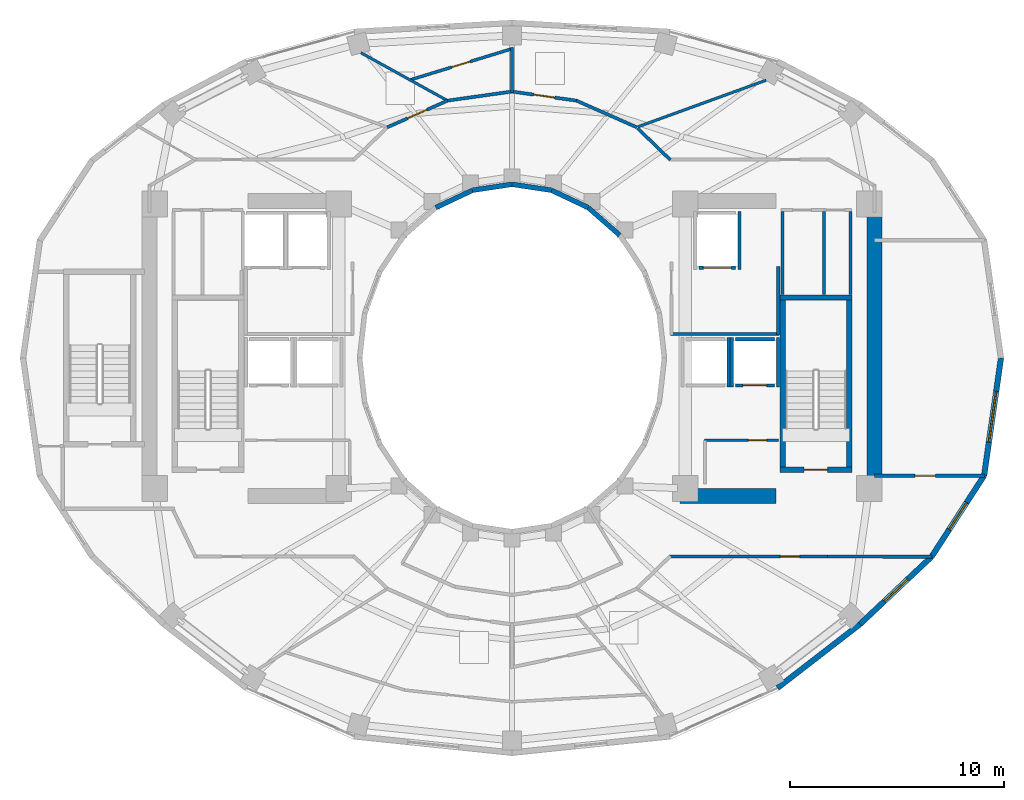
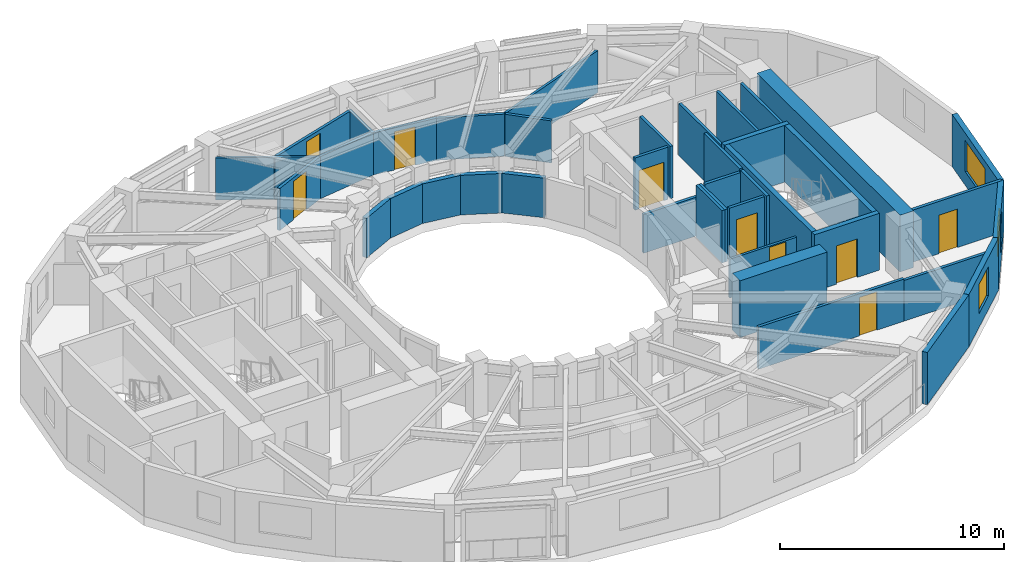
# One storey, part 13 of 17: 40 walls, 9 doors, 3 windows, 12 openings.
"""IFC4 building model written with IfcOpenShell, lengths in metres."""

from ifc_helpers import new_model, si_unit, direction, frame, frame_2d, origin, place, context, subcontext, project, spatial, rectangle, extrude, material, layer, layer_set, type_object, element, fill, save


model = new_model("IFC4")

# Units and contexts
model_context = context("Model", 3, precision=1e-05, world=origin(), true_north=direction((0.0, 1.0)))
body_context = subcontext(model_context, "Body", "Model", "MODEL_VIEW")
ifc_project = project(units=[si_unit("LENGTHUNIT", "METRE"), si_unit("AREAUNIT", "SQUARE_METRE"), si_unit("VOLUMEUNIT", "CUBIC_METRE"), si_unit("PLANEANGLEUNIT", "RADIAN"), si_unit("MASSUNIT", "GRAM", prefix="KILO")], contexts=[model_context])

# Site, building, storey
site_placement = place(None, origin())
site = spatial("IfcSite", under=ifc_project, at=site_placement, CompositionType="ELEMENT")
building_placement = place(site_placement, origin())
building = spatial("IfcBuilding", under=site, at=building_placement, Name="Solvane Sanctuary Tower", CompositionType="ELEMENT")
storey_placement = place(building_placement, frame((0.0, 0.0, 171.5)))
storey = spatial("IfcBuildingStorey", under=building, at=storey_placement, Name="L52", CompositionType="ELEMENT", Elevation=171.5)

# Walls
ifc_material_1 = material(Name="Concrete C60/75", Category="concrete")
ifc_layer_1 = layer(ifc_material_1, 0.699951171875, Name="Concrete C60/75")
ifc_layer_set_1 = layer_set([ifc_layer_1], Name="Concrete C60/75")
wall_type_1 = type_object("IfcWallType", Name="Wall W-CORE-700", PredefinedType="SHEAR", material=ifc_layer_set_1)
wall_1_placement = place(storey_placement, frame((48.949951171875, 17.050048828125, 0.0), z_axis=(0.0, 0.0, 1.0), x_axis=(0.0, 1.0, 0.0)))
element("IfcWall", 1, at=wall_1_placement, inside=storey, type_object=wall_type_1, Name="L52 Core Shear Wall EC-E", PredefinedType="SHEAR", context=body_context, shape_type="SweptSolid", body=[
    extrude(rectangle(XDim=12.800048828125, YDim=0.699951171875, at=frame_2d((6.39990234375, 0.0))), origin(), (0.0, 0.0, 1.0), 3.10009765625),
])
wall_2_placement = place(storey_placement, frame((39.85009765625, 16.550048828125, 0.0), z_axis=(0.0, 0.0, 1.0), x_axis=(1.0, 0.0, 0.0)))
element("IfcWall", 2, at=wall_2_placement, inside=storey, type_object=wall_type_1, Name="L52 Core Shear Wall EC-S", PredefinedType="SHEAR", context=body_context, shape_type="SweptSolid", body=[
    extrude(rectangle(XDim=4.5, YDim=0.699951171875, at=frame_2d((2.25, 0.0))), origin(), (0.0, 0.0, 1.0), 3.10009765625),
])
ifc_material_2 = material(Name="Acoustic Gypsum Partition Board")
ifc_layer_2 = layer(ifc_material_2, 0.14990234375, Name="Acoustic Gypsum Partition Board")
ifc_layer_set_2 = layer_set([ifc_layer_2], Name="Acoustic Gypsum Partition Board")
wall_type_2 = type_object("IfcWallType", Name="Wall W-CORR-150", PredefinedType="PARTITIONING", material=ifc_layer_set_2)
wall_3_placement = place(storey_placement, frame((39.39990234375, 24.1201171875, 0.0), z_axis=(0.0, 0.0, 1.0), x_axis=(1.0, 0.0, 0.0)))
element("IfcWall", 3, at=wall_3_placement, inside=storey, type_object=wall_type_2, Name="L52 East Firefighting Lobby South Wall", PredefinedType="PARTITIONING", context=body_context, shape_type="SweptSolid", body=[
    extrude(rectangle(XDim=5.080078125, YDim=0.14990234375, at=frame_2d((2.5400390625, 0.0))), origin(), (0.0, 0.0, 1.0), 2.1201171875),
])
wall_4_placement = place(storey_placement, frame((44.449951171875, 24.080078125, 0.0), z_axis=(0.0, 0.0, 1.0), x_axis=(0.0, 1.0, 0.0)))
element("IfcWall", 4, at=wall_4_placement, inside=storey, type_object=wall_type_2, Name="L52 East Firefighting Lobby East Wall", PredefinedType="PARTITIONING", context=body_context, shape_type="SweptSolid", body=[
    extrude(rectangle(XDim=3.199951171875, YDim=0.14990234375, at=frame_2d((1.60009765625, 0.0))), origin(), (0.0, 0.0, 1.0), 2.85498046875),
])

# Wall, opening, door
wall_5_placement = place(storey_placement, frame((48.949951171875, 17.4970703125, 0.0), z_axis=(0.0, 0.0, 1.0), x_axis=(1.0, 0.0, 0.0)))
wall_5 = element("IfcWall", 5, at=wall_5_placement, inside=storey, type_object=wall_type_2, Name="L52 East Shoulder South Wall", PredefinedType="PARTITIONING", context=body_context, shape_type="SweptSolid", body=[
    extrude(rectangle(XDim=5.14013671875, YDim=0.14990234375, at=frame_2d((2.570068359375, 0.0))), origin(), (0.0, 0.0, 1.0), 2.85498046875),
])
opening_1_placement = place(wall_5_placement, frame((1.888671875, 0.0, 0.0)))
opening_1 = element("IfcOpeningElement", 6, at=opening_1_placement, cuts=wall_5, Name="Opening D-L52-12", PredefinedType="OPENING", context=body_context, shape_type="SweptSolid", body=[
    extrude(rectangle(XDim=0.949951171875, YDim=2.10009765625, at=frame_2d((0.47509765625, 1.050048828125))), frame((0.0, 0.0849609375, 0.0), z_axis=(0.0, -1.0, 0.0), x_axis=(1.0, 0.0, 0.0)), (0.0, 0.0, 1.0), 0.169921875),
])
ifc_material_3 = material(Name="Engineered Tropical Hardwood", Category="wood")
door_type_1 = type_object("IfcDoorType", Name="Door D-ROOM-950", OperationType="NOTDEFINED", PredefinedType="DOOR", material=ifc_material_3)
door_1_placement = place(opening_1_placement, origin())
door_1 = element("IfcDoor", 7, at=door_1_placement, inside=storey, type_object=door_type_1, Name="L52 East Shoulder South Door", OperationType="SINGLE_SWING_RIGHT", OverallHeight=2.10009765625, OverallWidth=0.949951171875, PredefinedType="DOOR", context=body_context, shape_type="SweptSolid", body=[
    extrude(rectangle(XDim=0.949951171875, YDim=2.10009765625, at=frame_2d((0.47509765625, 1.050048828125))), frame((0.0, 0.02490234375, 0.0), z_axis=(0.0, -1.0, 0.0), x_axis=(1.0, 0.0, 0.0)), (0.0, 0.0, 1.0), 0.050048828125),
])
fill(opening_1, door_1)

# Wall
wall_6_placement = place(storey_placement, frame((37.867431640625, 33.748779296875, 0.0), z_axis=(0.0, 0.0, 1.0), x_axis=(0.717419568599, -0.696641344302, 0.0)))
element("IfcWall", 8, at=wall_6_placement, inside=storey, type_object=wall_type_2, Name="L52 NE Corner Throat Wall", PredefinedType="PARTITIONING", context=body_context, shape_type="SweptSolid", body=[
    extrude(rectangle(XDim=2.138427734375, YDim=0.14990234375, at=frame_2d((1.0693359375, 0.0))), origin(), (0.0, 0.0, 1.0), 2.299072265625),
])

# Wall, opening, door
wall_7_placement = place(storey_placement, frame((39.330078125, 13.719970703125, 0.0), z_axis=(0.0, 0.0, 1.0), x_axis=(1.0, 0.0, 0.0)))
wall_7 = element("IfcWall", 9, at=wall_7_placement, inside=storey, type_object=wall_type_2, Name="L52 SE Corner Corridor Wall", PredefinedType="PARTITIONING", context=body_context, shape_type="SweptSolid", body=[
    extrude(rectangle(XDim=7.52001953125, YDim=0.14990234375, at=frame_2d((3.760009765625, 0.0))), origin(), (0.0, 0.0, 1.0), 2.299072265625),
])
opening_2_placement = place(wall_7_placement, frame((5.219970703125, 0.0, 0.0)))
opening_2 = element("IfcOpeningElement", 10, at=opening_2_placement, cuts=wall_7, Name="Opening D-L52-18", PredefinedType="OPENING", context=body_context, shape_type="SweptSolid", body=[
    extrude(rectangle(XDim=0.89990234375, YDim=2.10009765625, at=frame_2d((0.449951171875, 1.050048828125))), frame((0.0, 0.0849609375, 0.0), z_axis=(0.0, -1.0, 0.0), x_axis=(1.0, 0.0, 0.0)), (0.0, 0.0, 1.0), 0.169921875),
])
door_type_2 = type_object("IfcDoorType", Name="Door D-WET-900", OperationType="NOTDEFINED", PredefinedType="DOOR", material=ifc_material_3)
door_2_placement = place(opening_2_placement, origin())
door_2 = element("IfcDoor", 11, at=door_2_placement, inside=storey, type_object=door_type_2, Name="L52 SE Corner Salon Door", OperationType="SINGLE_SWING_RIGHT", OverallHeight=2.10009765625, OverallWidth=0.89990234375, PredefinedType="DOOR", context=body_context, shape_type="SweptSolid", body=[
    extrude(rectangle(XDim=0.89990234375, YDim=2.10009765625, at=frame_2d((0.449951171875, 1.050048828125))), frame((0.0, 0.02490234375, 0.0), z_axis=(0.0, -1.0, 0.0), x_axis=(1.0, 0.0, 0.0)), (0.0, 0.0, 1.0), 0.050048828125),
])
fill(opening_2, door_2)

# Walls
wall_8_placement = place(storey_placement, frame((46.75, 13.72021484375, 0.0), z_axis=(0.0, 0.0, 1.0), x_axis=(0.999997122315, -0.00239903348, 0.0)))
element("IfcWall", 12, at=wall_8_placement, inside=storey, type_object=wall_type_2, Name="L52 SE Corner Wing Wall", PredefinedType="PARTITIONING", context=body_context, shape_type="SweptSolid", body=[
    extrude(rectangle(XDim=4.884765625, YDim=0.14990234375, at=frame_2d((2.4423828125, 0.0))), origin(), (0.0, 0.0, 1.0), 2.219970703125),
])
wall_9_placement = place(storey_placement, frame((32.049560546875, 35.462890625, 0.0), z_axis=(0.0, 0.0, 1.0), x_axis=(-0.990254405439, -0.139270285808, 0.0)))
element("IfcWall", 13, at=wall_9_placement, inside=storey, type_object=wall_type_2, Name="L52 En-suite Inner Wall N1", PredefinedType="PARTITIONING", context=body_context, shape_type="SweptSolid", body=[
    extrude(rectangle(XDim=3.146728515625, YDim=0.14990234375, at=frame_2d((1.5732421875, 0.0))), origin(), (0.0, 0.0, 1.0), 2.299072265625),
])
wall_10_placement = place(storey_placement, frame((37.8349609375, 33.782958984375, 0.0), z_axis=(0.0, 0.0, 1.0), x_axis=(-0.91445214467, 0.404694051239, 0.0)))
element("IfcWall", 14, at=wall_10_placement, inside=storey, type_object=wall_type_2, Name="L52 Unit Corridor Wall N1", PredefinedType="PARTITIONING", context=body_context, shape_type="SweptSolid", body=[
    extrude(rectangle(XDim=3.090576171875, YDim=0.14990234375, at=frame_2d((1.54541015625, 0.0))), origin(), (0.0, 0.0, 1.0), 2.299072265625),
])

# Wall, opening, door
wall_11_placement = place(storey_placement, frame((35.024658203125, 35.029296875, 0.0), z_axis=(0.0, 0.0, 1.0), x_axis=(-0.990243864279, 0.139345216129, 0.0)))
wall_11 = element("IfcWall", 15, at=wall_11_placement, inside=storey, type_object=wall_type_2, Name="L52 Unit Corridor Wall N1", PredefinedType="PARTITIONING", context=body_context, shape_type="SweptSolid", body=[
    extrude(rectangle(XDim=3.0625, YDim=0.14990234375, at=frame_2d((1.53125, 0.0))), origin(), (0.0, 0.0, 1.0), 2.299072265625),
])
opening_3_placement = place(wall_11_placement, frame((1.03125, 0.0, 0.0)))
opening_3 = element("IfcOpeningElement", 16, at=opening_3_placement, cuts=wall_11, Name="Opening D-L52-21", PredefinedType="OPENING", context=body_context, shape_type="SweptSolid", body=[
    extrude(rectangle(XDim=1.0, YDim=2.10009765625, at=frame_2d((0.5, 1.050048828125))), frame((0.0, 0.0849609375, 0.0), z_axis=(0.0, -1.0, 0.0), x_axis=(1.0, 0.0, 0.0)), (0.0, 0.0, 1.0), 0.169921875),
])
door_type_3 = type_object("IfcDoorType", Name="Door D-UNIT", OperationType="NOTDEFINED", PredefinedType="DOOR", material=ifc_material_3)
door_3_placement = place(opening_3_placement, origin())
door_3 = element("IfcDoor", 17, at=door_3_placement, inside=storey, type_object=door_type_3, Name="L52 Unit Entrance Door N1", OperationType="SINGLE_SWING_LEFT", OverallHeight=2.10009765625, OverallWidth=1.0, PredefinedType="DOOR", context=body_context, shape_type="SweptSolid", body=[
    extrude(rectangle(XDim=1.0, YDim=2.10009765625, at=frame_2d((0.5, 1.050048828125))), frame((0.0, 0.02490234375, 0.0), z_axis=(0.0, -1.0, 0.0), x_axis=(1.0, 0.0, 0.0)), (0.0, 0.0, 1.0), 0.050048828125),
])
fill(opening_3, door_3)

wall_12_placement = place(storey_placement, frame((28.9912109375, 35.03369140625, 0.0), z_axis=(0.0, 0.0, 1.0), x_axis=(-0.91445214467, -0.404694051239, 0.0)))
wall_12 = element("IfcWall", 18, at=wall_12_placement, inside=storey, type_object=wall_type_2, Name="L52 Unit Corridor Wall N2", PredefinedType="PARTITIONING", context=body_context, shape_type="SweptSolid", body=[
    extrude(rectangle(XDim=3.090576171875, YDim=0.14990234375, at=frame_2d((1.54541015625, 0.0))), origin(), (0.0, 0.0, 1.0), 2.299072265625),
])
opening_4_placement = place(wall_12_placement, frame((1.04541015625, 0.0, 0.0)))
opening_4 = element("IfcOpeningElement", 19, at=opening_4_placement, cuts=wall_12, Name="Opening D-L52-22", PredefinedType="OPENING", context=body_context, shape_type="SweptSolid", body=[
    extrude(rectangle(XDim=1.0, YDim=2.10009765625, at=frame_2d((0.5, 1.050048828125))), frame((0.0, 0.0849609375, 0.0), z_axis=(0.0, -1.0, 0.0), x_axis=(1.0, 0.0, 0.0)), (0.0, 0.0, 1.0), 0.169921875),
])
door_4_placement = place(opening_4_placement, origin())
door_4 = element("IfcDoor", 20, at=door_4_placement, inside=storey, type_object=door_type_3, Name="L52 Unit Entrance Door N2", OperationType="SINGLE_SWING_RIGHT", OverallHeight=2.10009765625, OverallWidth=1.0, PredefinedType="DOOR", context=body_context, shape_type="SweptSolid", body=[
    extrude(rectangle(XDim=1.0, YDim=2.10009765625, at=frame_2d((0.5, 1.050048828125))), frame((0.0, 0.02490234375, 0.0), z_axis=(0.0, -1.0, 0.0), x_axis=(1.0, 0.0, 0.0)), (0.0, 0.0, 1.0), 0.050048828125),
])
fill(opening_4, door_4)

# Wall
ifc_material_4 = material(Name="Precast concrete C40/50", Category="concrete")
ifc_layer_3 = layer(ifc_material_4, 0.260009765625, Name="Precast concrete C40/50")
ifc_layer_set_3 = layer_set([ifc_layer_3], Name="Precast concrete C40/50")
wall_type_3 = type_object("IfcWallType", Name="Wall W-EXT-250", PredefinedType="STANDARD", material=ifc_layer_set_3)
wall_13_placement = place(storey_placement, frame((44.4130859375, 7.58056640625, 0.0), z_axis=(0.0, 0.0, 1.0), x_axis=(0.791460185804, 0.611220724687, 0.0)))
element("IfcWall", 21, at=wall_13_placement, inside=storey, type_object=wall_type_3, Name="L52 Ceramic-Printed Facade Wall 20", PredefinedType="STANDARD", context=body_context, shape_type="SweptSolid", body=[
    extrude(rectangle(XDim=4.872314453125, YDim=0.260009765625, at=frame_2d((2.43603515625, 0.0))), origin(), (0.0, 0.0, 1.0), 2.85009765625),
])

# Wall, opening, window
wall_14_placement = place(storey_placement, frame((48.269287109375, 10.55859375, 0.0), z_axis=(0.0, 0.0, 1.0), x_axis=(0.727667301037, 0.68593024354, 0.0)))
wall_14 = element("IfcWall", 22, at=wall_14_placement, inside=storey, type_object=wall_type_3, Name="L52 Ceramic-Printed Facade Wall 21", PredefinedType="STANDARD", context=body_context, shape_type="SweptSolid", body=[
    extrude(rectangle(XDim=4.603515625, YDim=0.260009765625, at=frame_2d((2.3017578125, 0.0))), origin(), (0.0, 0.0, 1.0), 2.85009765625),
])
opening_5_placement = place(wall_14_placement, frame((1.5517578125, 0.0, 0.75)))
opening_5 = element("IfcOpeningElement", 23, at=opening_5_placement, cuts=wall_14, Name="Opening WN-OPER-1500", PredefinedType="OPENING", context=body_context, shape_type="SweptSolid", body=[
    extrude(rectangle(XDim=1.5, YDim=1.60009765625, at=frame_2d((0.75, 0.800048828125))), frame((0.0, 0.139892578125, 0.0), z_axis=(0.0, -1.0, 0.0), x_axis=(1.0, 0.0, 0.0)), (0.0, 0.0, 1.0), 0.280029296875),
])
ifc_material_5 = material(Name="Dark Ceramic-Fritted Low-E Glass", Category="glass")
window_type_1 = type_object("IfcWindowType", Name="Window WN-OPER-1500", PartitioningType="SINGLE_PANEL", PredefinedType="WINDOW", material=ifc_material_5)
window_1_placement = place(opening_5_placement, origin())
window_1 = element("IfcWindow", 24, at=window_1_placement, inside=storey, type_object=window_type_1, Name="L52 Operable Facade Window 21", OverallHeight=1.60009765625, OverallWidth=1.5, PartitioningType="SINGLE_PANEL", PredefinedType="WINDOW", context=body_context, shape_type="SweptSolid", body=[
    extrude(rectangle(XDim=1.5, YDim=1.60009765625, at=frame_2d((0.75, 0.800048828125))), frame((0.0, 0.030029296875, 0.0), z_axis=(0.0, -1.0, 0.0), x_axis=(1.0, 0.0, 0.0)), (0.0, 0.0, 1.0), 0.06005859375),
])
fill(opening_5, window_1)

wall_15_placement = place(storey_placement, frame((51.619140625, 13.71630859375, 0.0), z_axis=(0.0, 0.0, 1.0), x_axis=(0.543358984534, 0.839500454989, 0.0)))
wall_15 = element("IfcWall", 25, at=wall_15_placement, inside=storey, type_object=wall_type_3, Name="L52 Ceramic-Printed Facade Wall 22", PredefinedType="STANDARD", context=body_context, shape_type="SweptSolid", body=[
    extrude(rectangle(XDim=4.51123046875, YDim=0.260009765625, at=frame_2d((2.255615234375, 0.0))), origin(), (0.0, 0.0, 1.0), 2.85009765625),
])
opening_6_placement = place(wall_15_placement, frame((1.505615234375, 0.0, 0.75)))
opening_6 = element("IfcOpeningElement", 26, at=opening_6_placement, cuts=wall_15, Name="Opening WN-OPER-1500", PredefinedType="OPENING", context=body_context, shape_type="SweptSolid", body=[
    extrude(rectangle(XDim=1.5, YDim=1.60009765625, at=frame_2d((0.75, 0.800048828125))), frame((0.0, 0.139892578125, 0.0), z_axis=(0.0, -1.0, 0.0), x_axis=(1.0, 0.0, 0.0)), (0.0, 0.0, 1.0), 0.280029296875),
])
window_2_placement = place(opening_6_placement, origin())
window_2 = element("IfcWindow", 27, at=window_2_placement, inside=storey, type_object=window_type_1, Name="L52 Operable Facade Window 22", OverallHeight=1.60009765625, OverallWidth=1.5, PartitioningType="SINGLE_PANEL", PredefinedType="WINDOW", context=body_context, shape_type="SweptSolid", body=[
    extrude(rectangle(XDim=1.5, YDim=1.60009765625, at=frame_2d((0.75, 0.800048828125))), frame((0.0, 0.030029296875, 0.0), z_axis=(0.0, -1.0, 0.0), x_axis=(1.0, 0.0, 0.0)), (0.0, 0.0, 1.0), 0.06005859375),
])
fill(opening_6, window_2)

wall_16_placement = place(storey_placement, frame((54.0703125, 17.50341796875, 0.0), z_axis=(0.0, 0.0, 1.0), x_axis=(0.142227632286, 0.989833976288, 0.0)))
wall_16 = element("IfcWall", 28, at=wall_16_placement, inside=storey, type_object=wall_type_3, Name="L52 Ceramic-Printed Facade Wall 23", PredefinedType="STANDARD", context=body_context, shape_type="SweptSolid", body=[
    extrude(rectangle(XDim=5.552978515625, YDim=0.260009765625, at=frame_2d((2.7763671875, 0.0))), origin(), (0.0, 0.0, 1.0), 2.85009765625),
])
opening_7_placement = place(wall_16_placement, frame((1.576416015625, 0.0, 0.75)))
opening_7 = element("IfcOpeningElement", 29, at=opening_7_placement, cuts=wall_16, Name="Opening WN-RIB-2400", PredefinedType="OPENING", context=body_context, shape_type="SweptSolid", body=[
    extrude(rectangle(XDim=2.39990234375, YDim=1.699951171875, at=frame_2d((1.199951171875, 0.85009765625))), frame((0.0, 0.139892578125, 0.0), z_axis=(0.0, -1.0, 0.0), x_axis=(1.0, 0.0, 0.0)), (0.0, 0.0, 1.0), 0.280029296875),
])
window_type_2 = type_object("IfcWindowType", Name="Window WN-RIB-2400", PartitioningType="SINGLE_PANEL", PredefinedType="WINDOW", material=ifc_material_5)
window_3_placement = place(opening_7_placement, origin())
window_3 = element("IfcWindow", 30, at=window_3_placement, inside=storey, type_object=window_type_2, Name="L52 Operable Facade Window 23", OverallHeight=1.699951171875, OverallWidth=2.39990234375, PartitioningType="SINGLE_PANEL", PredefinedType="WINDOW", context=body_context, shape_type="SweptSolid", body=[
    extrude(rectangle(XDim=2.39990234375, YDim=1.699951171875, at=frame_2d((1.199951171875, 0.85009765625))), frame((0.0, 0.030029296875, 0.0), z_axis=(0.0, -1.0, 0.0), x_axis=(1.0, 0.0, 0.0)), (0.0, 0.0, 1.0), 0.06005859375),
])
fill(opening_7, window_3)

# Walls
ifc_layer_4 = layer(ifc_material_4, 0.22998046875, Name="Precast concrete C40/50")
ifc_layer_set_4 = layer_set([ifc_layer_4], Name="Precast concrete C40/50")
wall_type_4 = type_object("IfcWallType", Name="Wall W-EXT-SP220", PredefinedType="STANDARD", material=ifc_layer_set_4)
wall_17_placement = place(storey_placement, frame((37.03466796875, 28.74169921875, 0.0), z_axis=(0.0, 0.0, 1.0), x_axis=(-0.752576694707, 0.658504607869, 0.0)))
element("IfcWall", 31, at=wall_17_placement, inside=storey, type_object=wall_type_4, Name="L52 Central Light-Well Wall 03", PredefinedType="STANDARD", context=body_context, shape_type="SweptSolid", body=[
    extrude(rectangle(XDim=1.95947265625, YDim=0.22998046875, at=frame_2d((0.979736328125, 0.0))), origin(), (0.0, 0.0, 1.0), 2.159912109375),
])
wall_18_placement = place(storey_placement, frame((35.56005859375, 30.031982421875, 0.0), z_axis=(0.0, 0.0, 1.0), x_axis=(-0.904179699603, 0.427152280606, 0.0)))
element("IfcWall", 32, at=wall_18_placement, inside=storey, type_object=wall_type_4, Name="L52 Central Light-Well Wall 04", PredefinedType="STANDARD", context=body_context, shape_type="SweptSolid", body=[
    extrude(rectangle(XDim=1.899169921875, YDim=0.22998046875, at=frame_2d((0.94970703125, 0.0))), origin(), (0.0, 0.0, 1.0), 2.159912109375),
])
for number, where, z_axis, x_axis, name in (
    (33, (33.8427734375, 30.84326171875, 0.0), (0.0, 0.0, 1.0), (-0.988901730308, 0.148571086668, 0.0), "L52 Central Light-Well Wall 05"),
    (34, (32.0, 31.1201171875, 0.0), (0.0, 0.0, 1.0), (-0.988901730308, -0.148571086668, 0.0), "L52 Central Light-Well Wall 06"),
):
    element("IfcWall", number, at=place(storey_placement, frame(where, z_axis=z_axis, x_axis=x_axis)), inside=storey, type_object=wall_type_4, Name=name, PredefinedType="STANDARD", context=body_context, shape_type="SweptSolid", body=[
        extrude(rectangle(XDim=1.863525390625, YDim=0.22998046875, at=frame_2d((0.931640625, 0.0))), origin(), (0.0, 0.0, 1.0), 2.159912109375),
    ])
wall_19_placement = place(storey_placement, frame((30.1572265625, 30.84326171875, 0.0), z_axis=(0.0, 0.0, 1.0), x_axis=(-0.904179699603, -0.427152280606, 0.0)))
element("IfcWall", 35, at=wall_19_placement, inside=storey, type_object=wall_type_4, Name="L52 Central Light-Well Wall 07", PredefinedType="STANDARD", context=body_context, shape_type="SweptSolid", body=[
    extrude(rectangle(XDim=1.899169921875, YDim=0.22998046875, at=frame_2d((0.94970703125, 0.0))), origin(), (0.0, 0.0, 1.0), 2.159912109375),
])

# Wall, opening, door
ifc_layer_5 = layer(ifc_material_2, 0.125, Name="Acoustic Gypsum Partition Board")
ifc_layer_set_5 = layer_set([ifc_layer_5], Name="Acoustic Gypsum Partition Board")
wall_type_5 = type_object("IfcWallType", Name="Wall W-PART-125", PredefinedType="PARTITIONING", material=ifc_layer_set_5)
wall_20_placement = place(storey_placement, frame((41.0, 19.159912109375, 0.0), z_axis=(0.0, 0.0, 1.0), x_axis=(1.0, 0.0, 0.0)))
wall_20 = element("IfcWall", 36, at=wall_20_placement, inside=storey, type_object=wall_type_5, Name="L52 Reclaimed Room Partition PLE", PredefinedType="PARTITIONING", context=body_context, shape_type="SweptSolid", body=[
    extrude(rectangle(XDim=3.449951171875, YDim=0.125, at=frame_2d((1.72509765625, 0.0))), origin(), (0.0, 0.0, 1.0), 2.1201171875),
])
opening_8_placement = place(wall_20_placement, frame((2.050048828125, 0.0, 0.0)))
opening_8 = element("IfcOpeningElement", 37, at=opening_8_placement, cuts=wall_20, Name="Opening D-L52-07", PredefinedType="OPENING", context=body_context, shape_type="SweptSolid", body=[
    extrude(rectangle(XDim=0.85009765625, YDim=2.050048828125, at=frame_2d((0.425048828125, 1.02490234375))), frame((0.0, 0.072509765625, 0.0), z_axis=(0.0, -1.0, 0.0), x_axis=(1.0, 0.0, 0.0)), (0.0, 0.0, 1.0), 0.14501953125),
])
ifc_material_6 = material(Name="Architectural Stainless Steel 316", Category="steel")
door_type_4 = type_object("IfcDoorType", Name="Door D-RISER", OperationType="NOTDEFINED", PredefinedType="DOOR", material=ifc_material_6)
door_5_placement = place(opening_8_placement, origin())
door_5 = element("IfcDoor", 38, at=door_5_placement, inside=storey, type_object=door_type_4, Name="L52 Reclaimed Room Door PLE-1", OperationType="SINGLE_SWING_LEFT", OverallHeight=2.050048828125, OverallWidth=0.85009765625, PredefinedType="DOOR", context=body_context, shape_type="SweptSolid", body=[
    extrude(rectangle(XDim=0.85009765625, YDim=2.050048828125, at=frame_2d((0.425048828125, 1.02490234375))), frame((0.0, 0.02490234375, 0.0), z_axis=(0.0, -1.0, 0.0), x_axis=(1.0, 0.0, 0.0)), (0.0, 0.0, 1.0), 0.050048828125),
])
fill(opening_8, door_5)

# Walls
wall_21_placement = place(storey_placement, frame((37.879638671875, 33.805908203125, 0.0), z_axis=(0.0, 0.0, 1.0), x_axis=(0.939901628116, 0.341445353557, 0.0)))
element("IfcWall", 39, at=wall_21_placement, inside=storey, type_object=wall_type_5, Name="L52 Radial Compartment Wall 060", PredefinedType="PARTITIONING", context=body_context, shape_type="SweptSolid", body=[
    extrude(rectangle(XDim=6.38720703125, YDim=0.125, at=frame_2d((3.193603515625, 0.0))), origin(), (0.0, 0.0, 1.0), 2.299072265625),
])
wall_22_placement = place(storey_placement, frame((28.93505859375, 35.05810546875, 0.0), z_axis=(0.0, 0.0, 1.0), x_axis=(-0.875077338582, 0.48398311076, 0.0)))
element("IfcWall", 40, at=wall_22_placement, inside=storey, type_object=wall_type_5, Name="L52 Radial Compartment Wall 105", PredefinedType="PARTITIONING", context=body_context, shape_type="SweptSolid", body=[
    extrude(rectangle(XDim=4.5732421875, YDim=0.125, at=frame_2d((2.28662109375, 0.0))), origin(), (0.0, 0.0, 1.0), 2.299072265625),
])

# Wall, opening, door
ifc_material_7 = material(Name="Concrete C50/60", Category="concrete")
ifc_layer_6 = layer(ifc_material_7, 0.14990234375, Name="Concrete C50/60")
ifc_layer_set_6 = layer_set([ifc_layer_6], Name="Concrete C50/60")
wall_type_6 = type_object("IfcWallType", Name="Wall W-SHAFT-150", PredefinedType="SOLIDWALL", material=ifc_layer_set_6)
wall_23_placement = place(storey_placement, frame((42.43994140625, 21.719970703125, 0.0), z_axis=(0.0, 0.0, 1.0), x_axis=(1.0, 0.0, 0.0)))
wall_23 = element("IfcWall", 41, at=wall_23_placement, inside=storey, type_object=wall_type_6, Name="L52 PM-2 Lift Shaft Wall F", PredefinedType="SOLIDWALL", context=body_context, shape_type="SweptSolid", body=[
    extrude(rectangle(XDim=1.820068359375, YDim=0.14990234375, at=frame_2d((0.91015625, 0.0))), origin(), (0.0, 0.0, 1.0), 2.85498046875),
])
opening_9_placement = place(wall_23_placement, frame((0.360107421875, 0.0, 0.0)))
opening_9 = element("IfcOpeningElement", 42, at=opening_9_placement, cuts=wall_23, Name="Opening LD-L52-02", PredefinedType="OPENING", context=body_context, shape_type="SweptSolid", body=[
    extrude(rectangle(XDim=1.10009765625, YDim=2.10009765625, at=frame_2d((0.550048828125, 1.050048828125))), frame((0.0, 0.0849609375, 0.0), z_axis=(0.0, -1.0, 0.0), x_axis=(1.0, 0.0, 0.0)), (0.0, 0.0, 1.0), 0.169921875),
])
door_type_5 = type_object("IfcDoorType", Name="Door LD-PASS-1100", OperationType="NOTDEFINED", PredefinedType="DOOR", material=ifc_material_6)
door_6_placement = place(opening_9_placement, origin())
door_6 = element("IfcDoor", 43, at=door_6_placement, inside=storey, type_object=door_type_5, Name="L52 PM-2 Lift Landing Door", OperationType="DOUBLE_DOOR_SLIDING", OverallHeight=2.10009765625, OverallWidth=1.10009765625, PredefinedType="DOOR", context=body_context, shape_type="SweptSolid", body=[
    extrude(rectangle(XDim=1.10009765625, YDim=2.10009765625, at=frame_2d((0.550048828125, 1.050048828125))), frame((0.0, 0.02490234375, 0.0), z_axis=(0.0, -1.0, 0.0), x_axis=(1.0, 0.0, 0.0)), (0.0, 0.0, 1.0), 0.050048828125),
])
fill(opening_9, door_6)

# Walls
wall_24_placement = place(storey_placement, frame((42.43994140625, 23.8798828125, 0.0), z_axis=(0.0, 0.0, 1.0), x_axis=(1.0, 0.0, 0.0)))
element("IfcWall", 44, at=wall_24_placement, inside=storey, type_object=wall_type_6, Name="L52 PM-2 Lift Shaft Wall B", PredefinedType="SOLIDWALL", context=body_context, shape_type="SweptSolid", body=[
    extrude(rectangle(XDim=1.820068359375, YDim=0.14990234375, at=frame_2d((0.91015625, 0.0))), origin(), (0.0, 0.0, 1.0), 2.85498046875),
])
for number, where, z_axis, x_axis, name in (
    (45, (42.27001953125, 21.639892578125, 0.0), (0.0, 0.0, 1.0), (0.0, 1.0, 0.0), "L52 PM-2 Lift Shaft Wall S1"),
    (46, (44.429931640625, 21.639892578125, 0.0), (0.0, 0.0, 1.0), (0.0, 1.0, 0.0), "L52 PM-2 Lift Shaft Wall S2"),
    (47, (42.1298828125, 21.639892578125, 0.0), (0.0, 0.0, 1.0), (0.0, 1.0, 0.0), "L52 PH-2 Lift Shaft Wall S2"),
):
    element("IfcWall", number, at=place(storey_placement, frame(where, z_axis=z_axis, x_axis=x_axis)), inside=storey, type_object=wall_type_6, Name=name, PredefinedType="SOLIDWALL", context=body_context, shape_type="SweptSolid", body=[
        extrude(rectangle(XDim=2.320068359375, YDim=0.14990234375, at=frame_2d((1.16015625, 0.0))), origin(), (0.0, 0.0, 1.0), 2.85498046875),
    ])

# Wall, opening, door
wall_25_placement = place(storey_placement, frame((40.739990234375, 27.219970703125, 0.0), z_axis=(0.0, 0.0, 1.0), x_axis=(1.0, 0.0, 0.0)))
wall_25 = element("IfcWall", 48, at=wall_25_placement, inside=storey, type_object=wall_type_6, Name="L52 FFL-2 Lift Shaft Wall F", PredefinedType="SOLIDWALL", context=body_context, shape_type="SweptSolid", body=[
    extrude(rectangle(XDim=1.719970703125, YDim=0.14990234375, at=frame_2d((0.85986328125, 0.0))), origin(), (0.0, 0.0, 1.0), 2.85498046875),
])
opening_10_placement = place(wall_25_placement, frame((0.2099609375, 0.0, 0.0)))
opening_10 = element("IfcOpeningElement", 49, at=opening_10_placement, cuts=wall_25, Name="Opening LD-L52-05", PredefinedType="OPENING", context=body_context, shape_type="SweptSolid", body=[
    extrude(rectangle(XDim=1.300048828125, YDim=2.10009765625, at=frame_2d((0.64990234375, 1.050048828125))), frame((0.0, 0.0849609375, 0.0), z_axis=(0.0, -1.0, 0.0), x_axis=(1.0, 0.0, 0.0)), (0.0, 0.0, 1.0), 0.169921875),
])
door_type_6 = type_object("IfcDoorType", Name="Door LD-FFL-1300", OperationType="NOTDEFINED", PredefinedType="DOOR", material=ifc_material_6)
door_7_placement = place(opening_10_placement, origin())
door_7 = element("IfcDoor", 50, at=door_7_placement, inside=storey, type_object=door_type_6, Name="L52 FFL-2 Lift Landing Door", OperationType="DOUBLE_DOOR_SLIDING", OverallHeight=2.10009765625, OverallWidth=1.300048828125, PredefinedType="DOOR", context=body_context, shape_type="SweptSolid", body=[
    extrude(rectangle(XDim=1.300048828125, YDim=2.10009765625, at=frame_2d((0.64990234375, 1.050048828125))), frame((0.0, 0.02490234375, 0.0), z_axis=(0.0, -1.0, 0.0), x_axis=(1.0, 0.0, 0.0)), (0.0, 0.0, 1.0), 0.050048828125),
])
fill(opening_10, door_7)

# Wall
wall_26_placement = place(storey_placement, frame((42.6298828125, 27.139892578125, 0.0), z_axis=(0.0, 0.0, 1.0), x_axis=(0.0, 1.0, 0.0)))
element("IfcWall", 51, at=wall_26_placement, inside=storey, type_object=wall_type_6, Name="L52 FFL-2 Lift Shaft Wall S2", PredefinedType="SOLIDWALL", context=body_context, shape_type="SweptSolid", body=[
    extrude(rectangle(XDim=2.72021484375, YDim=0.14990234375, at=frame_2d((1.360107421875, 0.0))), origin(), (0.0, 0.0, 1.0), 2.85498046875),
])

# Wall, opening, door
ifc_layer_7 = layer(ifc_material_7, 0.25, Name="Concrete C50/60")
ifc_layer_set_7 = layer_set([ifc_layer_7], Name="Concrete C50/60")
wall_type_7 = type_object("IfcWallType", Name="Wall W-SHAFT-250", PredefinedType="SOLIDWALL", material=ifc_layer_set_7)
wall_27_placement = place(storey_placement, frame((44.52490234375, 17.77001953125, 0.0), z_axis=(0.0, 0.0, 1.0), x_axis=(1.0, 0.0, 0.0)))
wall_27 = element("IfcWall", 52, at=wall_27_placement, inside=storey, type_object=wall_type_7, Name="L52 ST-2 Load-Bearing Shaft Wall S", PredefinedType="SOLIDWALL", context=body_context, shape_type="SweptSolid", body=[
    extrude(rectangle(XDim=3.3701171875, YDim=0.25, at=frame_2d((1.68505859375, 0.0))), origin(), (0.0, 0.0, 1.0), 3.10009765625),
])
opening_11_placement = place(wall_27_placement, frame((1.135009765625, 0.0, 0.0)))
opening_11 = element("IfcOpeningElement", 53, at=opening_11_placement, cuts=wall_27, Name="Opening D-L52-02", PredefinedType="OPENING", context=body_context, shape_type="SweptSolid", body=[
    extrude(rectangle(XDim=1.10009765625, YDim=2.10009765625, at=frame_2d((0.550048828125, 1.050048828125))), frame((0.0, 0.135009765625, 0.0), z_axis=(0.0, -1.0, 0.0), x_axis=(1.0, 0.0, 0.0)), (0.0, 0.0, 1.0), 0.27001953125),
])
door_type_7 = type_object("IfcDoorType", Name="Door D-STAIR", OperationType="NOTDEFINED", PredefinedType="DOOR", material=ifc_material_6)
door_8_placement = place(opening_11_placement, origin())
door_8 = element("IfcDoor", 54, at=door_8_placement, inside=storey, type_object=door_type_7, Name="L52 ST-2 Exit Stair Fire Door", OperationType="SINGLE_SWING_LEFT", OverallHeight=2.10009765625, OverallWidth=1.10009765625, PredefinedType="DOOR", context=body_context, shape_type="SweptSolid", body=[
    extrude(rectangle(XDim=1.10009765625, YDim=2.10009765625, at=frame_2d((0.550048828125, 1.050048828125))), frame((0.0, 0.02490234375, 0.0), z_axis=(0.0, -1.0, 0.0), x_axis=(1.0, 0.0, 0.0)), (0.0, 0.0, 1.0), 0.050048828125),
])
fill(opening_11, door_8)

# Walls
wall_28_placement = place(storey_placement, frame((44.52490234375, 25.830078125, 0.0), z_axis=(0.0, 0.0, 1.0), x_axis=(1.0, 0.0, 0.0)))
element("IfcWall", 55, at=wall_28_placement, inside=storey, type_object=wall_type_7, Name="L52 ST-2 Load-Bearing Shaft Wall N", PredefinedType="SOLIDWALL", context=body_context, shape_type="SweptSolid", body=[
    extrude(rectangle(XDim=3.3701171875, YDim=0.25, at=frame_2d((1.68505859375, 0.0))), origin(), (0.0, 0.0, 1.0), 3.10009765625),
])
for number, where, z_axis, x_axis, name in (
    (56, (44.64990234375, 17.89501953125, 0.0), (0.0, 0.0, 1.0), (0.0, 1.0, 0.0), "L52 ST-2 Load-Bearing Shaft Wall W"),
    (57, (47.77001953125, 17.89501953125, 0.0), (0.0, 0.0, 1.0), (0.0, 1.0, 0.0), "L52 ST-2 Load-Bearing Shaft Wall E"),
):
    element("IfcWall", number, at=place(storey_placement, frame(where, z_axis=z_axis, x_axis=x_axis)), inside=storey, type_object=wall_type_7, Name=name, PredefinedType="SOLIDWALL", context=body_context, shape_type="SweptSolid", body=[
        extrude(rectangle(XDim=7.81005859375, YDim=0.25, at=frame_2d((3.905029296875, 0.0))), origin(), (0.0, 0.0, 1.0), 3.10009765625),
    ])
ifc_layer_8 = layer(ifc_material_2, 0.139892578125, Name="Acoustic Gypsum Partition Board")
ifc_layer_set_8 = layer_set([ifc_layer_8], Name="Acoustic Gypsum Partition Board")
wall_type_8 = type_object("IfcWallType", Name="Wall W-WET-140", PredefinedType="PLUMBINGWALL", material=ifc_layer_set_8)
for number, where, z_axis, x_axis, name in (
    (58, (44.639892578125, 25.97998046875, 0.0), (0.0, 0.0, 1.0), (0.0, 1.0, 0.0), "L52 Core Service Side Wall KE1-1"),
    (59, (46.580078125, 25.97998046875, 0.0), (0.0, 0.0, 1.0), (0.0, 1.0, 0.0), "L52 Core Service Side Wall KE1-2"),
    (60, (47.820068359375, 25.97998046875, 0.0), (0.0, 0.0, 1.0), (0.0, 1.0, 0.0), "L52 Core Service Side Wall KE2-1"),
):
    element("IfcWall", number, at=place(storey_placement, frame(where, z_axis=z_axis, x_axis=x_axis)), inside=storey, type_object=wall_type_8, Name=name, PredefinedType="PLUMBINGWALL", context=body_context, shape_type="SweptSolid", body=[
        extrude(rectangle(XDim=3.880126953125, YDim=0.139892578125, at=frame_2d((1.93994140625, 0.0))), origin(), (0.0, 0.0, 1.0), 2.85498046875),
    ])
wall_29_placement = place(storey_placement, frame((32.0, 35.406005859375, 0.0), z_axis=(0.0, 0.0, 1.0), x_axis=(0.0, 1.0, 0.0)))
element("IfcWall", 61, at=wall_29_placement, inside=storey, type_object=wall_type_8, Name="L52 En-suite Side Partition N1", PredefinedType="PLUMBINGWALL", context=body_context, shape_type="SweptSolid", body=[
    extrude(rectangle(XDim=2.10009765625, YDim=0.139892578125, at=frame_2d((1.050048828125, 0.0))), origin(), (0.0, 0.0, 1.0), 2.299072265625),
])

# Wall, opening, door
wall_30_placement = place(storey_placement, frame((32.0478515625, 37.470703125, 0.0), z_axis=(0.0, 0.0, 1.0), x_axis=(-0.956348216259, -0.292229514694, 0.0)))
wall_30 = element("IfcWall", 62, at=wall_30_placement, inside=storey, type_object=wall_type_8, Name="L52 En-suite Bedroom Wall N1", PredefinedType="PLUMBINGWALL", context=body_context, shape_type="SweptSolid", body=[
    extrude(rectangle(XDim=5.08447265625, YDim=0.139892578125, at=frame_2d((2.542236328125, 0.0))), origin(), (0.0, 0.0, 1.0), 2.299072265625),
])
opening_12_placement = place(wall_30_placement, frame((2.09228515625, 0.0, 0.0)))
opening_12 = element("IfcOpeningElement", 63, at=opening_12_placement, cuts=wall_30, Name="Opening D-L52-20", PredefinedType="OPENING", context=body_context, shape_type="SweptSolid", body=[
    extrude(rectangle(XDim=0.89990234375, YDim=2.10009765625, at=frame_2d((0.449951171875, 1.050048828125))), frame((0.0, 0.079833984375, 0.0), z_axis=(0.0, -1.0, 0.0), x_axis=(1.0, 0.0, 0.0)), (0.0, 0.0, 1.0), 0.159912109375),
])
door_9_placement = place(opening_12_placement, origin())
door_9 = element("IfcDoor", 64, at=door_9_placement, inside=storey, type_object=door_type_2, Name="L52 En-suite Bathroom Door N1", OperationType="SINGLE_SWING_RIGHT", OverallHeight=2.10009765625, OverallWidth=0.89990234375, PredefinedType="DOOR", context=body_context, shape_type="SweptSolid", body=[
    extrude(rectangle(XDim=0.89990234375, YDim=2.10009765625, at=frame_2d((0.449951171875, 1.050048828125))), frame((0.0, 0.02490234375, 0.0), z_axis=(0.0, -1.0, 0.0), x_axis=(1.0, 0.0, 0.0)), (0.0, 0.0, 1.0), 0.050048828125),
])
fill(opening_12, door_9)

save(model, "model.ifc")
